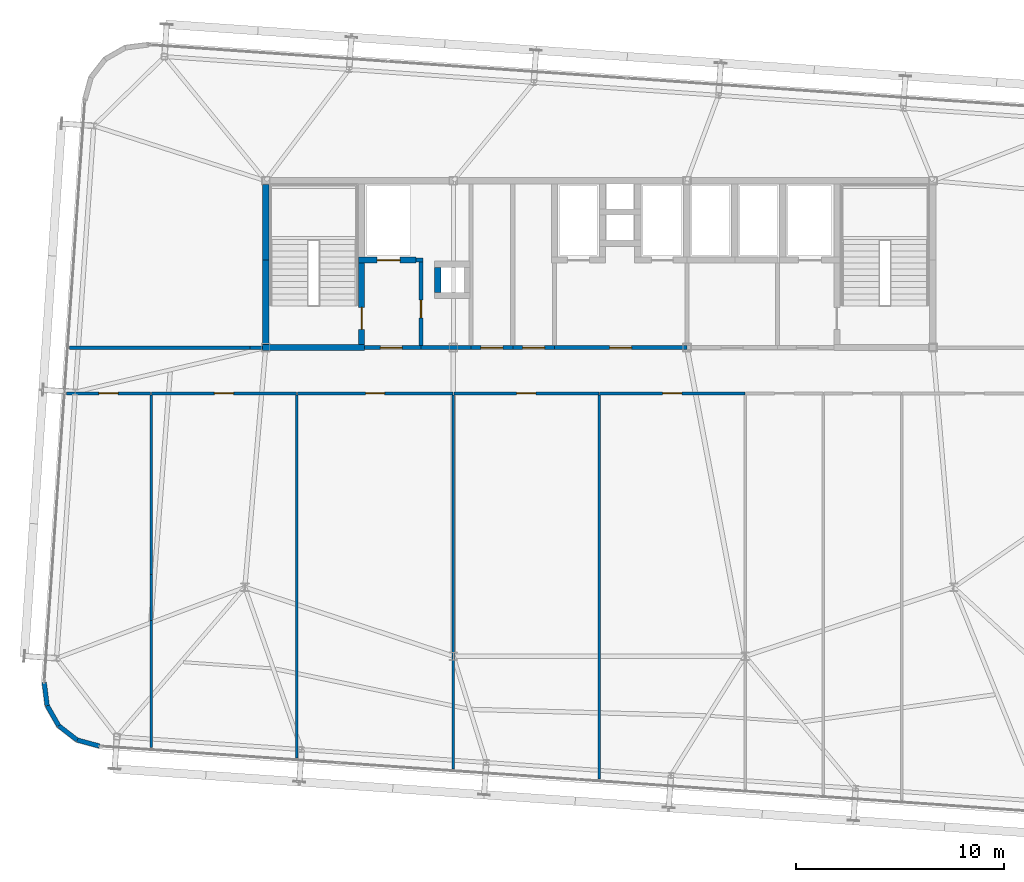
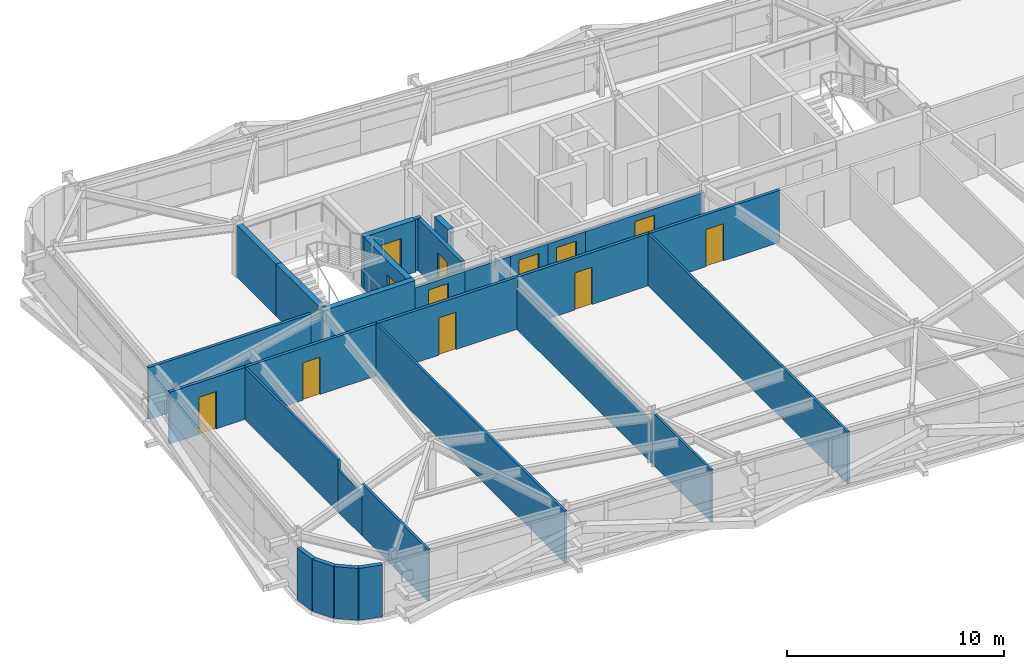
# One storey, part 35 of 39: 31 walls, 12 doors, 12 openings.
"""IFC4 building model written with IfcOpenShell, lengths in metres."""

from ifc_helpers import new_model, si_unit, direction, frame, frame_2d, origin, place, context, subcontext, project, spatial, rectangle, extrude, source, transform, mapped, material, layer, layer_set, type_object, element, fill, save


model = new_model("IFC4")

# Units and contexts
model_context = context("Model", 3, precision=1e-05, world=origin(), true_north=direction((0.0, 1.0)))
body_context = subcontext(model_context, "Body", "Model", "MODEL_VIEW")
ifc_project = project(units=[si_unit("LENGTHUNIT", "METRE"), si_unit("AREAUNIT", "SQUARE_METRE"), si_unit("VOLUMEUNIT", "CUBIC_METRE"), si_unit("PLANEANGLEUNIT", "RADIAN"), si_unit("MASSUNIT", "GRAM", prefix="KILO")], contexts=[model_context])

# Site, building, storey
site_placement = place(None, origin())
site = spatial("IfcSite", under=ifc_project, at=site_placement, CompositionType="ELEMENT")
building_placement = place(site_placement, origin())
building = spatial("IfcBuilding", under=site, at=building_placement, Name="Taldren Reach Tower", CompositionType="ELEMENT")
storey_placement = place(building_placement, frame((0.0, 0.0, 151.89990234375)))
storey = spatial("IfcBuildingStorey", under=building, at=storey_placement, Name="L46", CompositionType="ELEMENT", Elevation=151.89990234375)

# Walls
ifc_material_1 = material(Name="Pale Champagne Anodised Aluminium Cladding", Category="aluminium")
ifc_layer_1 = layer(ifc_material_1, 0.04, Name="Pale Champagne Anodised Aluminium Cladding", Category="aluminium")
ifc_material_2 = material(Name="Mineral Wool Acoustic Insulation", Category="insulation")
ifc_layer_2 = layer(ifc_material_2, 0.06, Name="Mineral Wool Acoustic Insulation", Category="insulation")
ifc_material_3 = material(Name="Steel Gr 350 (C350L0)", Category="steel")
ifc_layer_3 = layer(ifc_material_3, 0.12, Name="Steel Gr 350 (C350L0)", Category="steel")
ifc_layer_set_1 = layer_set([ifc_layer_1, ifc_layer_2, ifc_layer_3], Name="Pale Champagne Aluminium Cladding and Steel Gr 350 Stud Framing")
wall_type_1 = type_object("IfcWallType", Name="EW-CRN-220", PredefinedType="SOLIDWALL", material=ifc_layer_set_1)
shared_shape_1 = source(origin(), body_context, "Body", "SweptSolid", [
    extrude(rectangle(XDim=1.115966796875, YDim=0.219970703125, at=frame_2d((0.55810546875, 0.0))), origin(), (0.0, 0.0, 1.0), 2.93017578125),
])
for number, where, z_axis, x_axis, name in (
    (1, (8.37646484375, 7.93798828125, 0.0), (0.0, 0.0, 1.0), (0.126242535829, -0.991999406324, 0.0), "Rounded-corner pale-metal facade wall L46-SW1"),
    (2, (8.517333984375, 6.8310546875, 0.0), (0.0, 0.0, 1.0), (0.496138938357, -0.868243142124, 0.0), "Rounded-corner pale-metal facade wall L46-SW2"),
    (3, (9.071044921875, 5.862060546875, 0.0), (0.0, 0.0, 1.0), (0.790716874741, -0.612182018684, 0.0), "Rounded-corner pale-metal facade wall L46-SW3"),
    (4, (9.953369140625, 5.178955078125, 0.0), (0.0, 0.0, 1.0), (0.964804199372, -0.262969307856, 0.0), "Rounded-corner pale-metal facade wall L46-SW4"),
):
    element("IfcWall", number, at=place(storey_placement, frame(where, z_axis=z_axis, x_axis=x_axis)), inside=storey, type_object=wall_type_1, Name=name, PredefinedType="SOLIDWALL", context=body_context, shape_type="MappedRepresentation", body=[
        mapped(shared_shape_1, transform((0.0, 0.0, 0.0), scale=1.0)),
    ])

# Wall, opening, door
ifc_material_4 = material(Name="Concrete S50 (50 MPa)", Category="concrete")
ifc_layer_4 = layer(ifc_material_4, 0.199951171875)
ifc_layer_set_2 = layer_set([ifc_layer_4], Name="Concrete S50 (50 MPa)")
wall_type_2 = type_object("IfcWallType", Name="IW-CORE-200", PredefinedType="SOLIDWALL", material=ifc_layer_set_2)
shared_shape_2 = source(origin(), body_context, "Body", "SweptSolid", [
    extrude(rectangle(XDim=2.0, YDim=0.199951171875, at=frame_2d((1.0, 0.0))), origin(), (0.0, 0.0, 1.0), 2.47021484375),
])
wall_1_placement = place(storey_placement, frame((30.85009765625, 24.0, 0.0), z_axis=(0.0, 0.0, 1.0), x_axis=(-1.0, 0.0, 0.0)))
wall_1 = element("IfcWall", 5, at=wall_1_placement, inside=storey, type_object=wall_type_2, Name="Rear Core Shear Wall W-INT-L46-039", PredefinedType="SOLIDWALL", context=body_context, shape_type="MappedRepresentation", body=[
    mapped(shared_shape_2, transform((0.0, 0.0, 0.0), scale=1.0)),
])
shared_shape_3 = source(origin(), body_context, "Body", "SweptSolid", [
    extrude(rectangle(XDim=1.050048828125, YDim=2.10009765625, at=frame_2d((0.52490234375, 1.050048828125))), frame((0.0, 0.10986328125, 0.0), z_axis=(0.0, -1.0, 0.0), x_axis=(1.0, 0.0, 0.0)), (0.0, 0.0, 1.0), 0.219970703125),
])
opening_1_placement = place(wall_1_placement, frame((0.47509765625, 0.0, 0.0)))
opening_1 = element("IfcOpeningElement", 6, at=opening_1_placement, cuts=wall_1, Name="Opening DF-105", PredefinedType="OPENING", context=body_context, shape_type="MappedRepresentation", body=[
    mapped(shared_shape_3, transform((0.0, 0.0, 0.0), scale=1.0)),
])
ifc_material_5 = material(Name="Fire-Rated Care and Stair Exit Door")
door_type_1 = type_object("IfcDoorType", Name="ID-FIRE-105", OperationType="NOTDEFINED", PredefinedType="DOOR", material=ifc_material_5)
shared_shape_4 = source(origin(), body_context, "Body", "SweptSolid", [
    extrude(rectangle(XDim=1.050048828125, YDim=2.10009765625, at=frame_2d((0.52490234375, 1.050048828125))), frame((0.0, 0.02490234375, 0.0), z_axis=(0.0, -1.0, 0.0), x_axis=(1.0, 0.0, 0.0)), (0.0, 0.0, 1.0), 0.050048828125),
])
door_1_placement = place(opening_1_placement, frame((1.050048828125, 0.0, 0.0), z_axis=(0.0, 0.0, 1.0), x_axis=(-1.0, 0.0, 0.0)))
door_1 = element("IfcDoor", 7, at=door_1_placement, inside=storey, type_object=door_type_1, Name="Interior Door DR-L46-006", OperationType="SINGLE_SWING_RIGHT", OverallHeight=2.10009765625, OverallWidth=1.050048828125, PredefinedType="DOOR", context=body_context, shape_type="MappedRepresentation", body=[
    mapped(shared_shape_4, transform((0.0, 0.0, 0.0), scale=1.0)),
])
fill(opening_1, door_1)

wall_2_placement = place(storey_placement, frame((32.85009765625, 24.0, 0.0), z_axis=(0.0, 0.0, 1.0), x_axis=(-1.0, 0.0, 0.0)))
wall_2 = element("IfcWall", 8, at=wall_2_placement, inside=storey, type_object=wall_type_2, Name="Rear Core Shear Wall W-INT-L46-040", PredefinedType="SOLIDWALL", context=body_context, shape_type="MappedRepresentation", body=[
    mapped(shared_shape_2, transform((0.0, 0.0, 0.0), scale=1.0)),
])
opening_2_placement = place(wall_2_placement, frame((0.47509765625, 0.0, 0.0)))
opening_2 = element("IfcOpeningElement", 9, at=opening_2_placement, cuts=wall_2, Name="Opening DF-105", PredefinedType="OPENING", context=body_context, shape_type="MappedRepresentation", body=[
    mapped(shared_shape_3, transform((0.0, 0.0, 0.0), scale=1.0)),
])
door_2_placement = place(opening_2_placement, frame((1.050048828125, 0.0, 0.0), z_axis=(0.0, 0.0, 1.0), x_axis=(-1.0, 0.0, 0.0)))
door_2 = element("IfcDoor", 10, at=door_2_placement, inside=storey, type_object=door_type_1, Name="Interior Door DR-L46-007", OperationType="SINGLE_SWING_LEFT", OverallHeight=2.10009765625, OverallWidth=1.050048828125, PredefinedType="DOOR", context=body_context, shape_type="MappedRepresentation", body=[
    mapped(shared_shape_4, transform((0.0, 0.0, 0.0), scale=1.0)),
])
fill(opening_2, door_2)

# Walls
ifc_material_6 = material(Name="Concrete S65 (65 MPa)", Category="concrete")
ifc_layer_5 = layer(ifc_material_6, 0.300048828125)
ifc_layer_set_3 = layer_set([ifc_layer_5], Name="Concrete S65 (65 MPa)")
wall_type_3 = type_object("IfcWallType", Name="IW-CORE-300", PredefinedType="SHEAR", material=ifc_layer_set_3)
shared_shape_5 = source(origin(), body_context, "Body", "SweptSolid", [
    extrude(rectangle(XDim=4.050048828125, YDim=0.300048828125, at=frame_2d((2.02490234375, 0.0))), origin(), (0.0, 0.0, 1.0), 2.93017578125),
])
wall_3_placement = place(storey_placement, frame((19.0, 24.14990234375, 0.0), z_axis=(0.0, 0.0, 1.0), x_axis=(0.0, 1.0, 0.0)))
element("IfcWall", 11, at=wall_3_placement, inside=storey, type_object=wall_type_3, Name="Rear Core Shear Wall W-CORE-L46-WEST1", PredefinedType="SHEAR", context=body_context, shape_type="MappedRepresentation", body=[
    mapped(shared_shape_5, transform((0.0, 0.0, 0.0), scale=1.0)),
])
shared_shape_6 = source(origin(), body_context, "Body", "SweptSolid", [
    extrude(rectangle(XDim=3.650146484375, YDim=0.300048828125, at=frame_2d((1.8251953125, 0.0))), origin(), (0.0, 0.0, 1.0), 2.93017578125),
])
wall_4_placement = place(storey_placement, frame((19.0, 28.199951171875, 0.0), z_axis=(0.0, 0.0, 1.0), x_axis=(0.0, 1.0, 0.0)))
element("IfcWall", 12, at=wall_4_placement, inside=storey, type_object=wall_type_3, Name="Rear Core Shear Wall W-CORE-L46-WEST2", PredefinedType="SHEAR", context=body_context, shape_type="MappedRepresentation", body=[
    mapped(shared_shape_6, transform((0.0, 0.0, 0.0), scale=1.0)),
])

# Wall, opening, door
shared_shape_7 = source(origin(), body_context, "Body", "SweptSolid", [
    extrude(rectangle(XDim=3.900146484375, YDim=0.300048828125, at=frame_2d((1.9501953125, 0.0))), origin(), (0.0, 0.0, 1.0), 2.93017578125),
])
wall_5_placement = place(storey_placement, frame((23.60009765625, 24.14990234375, 0.0), z_axis=(0.0, 0.0, 1.0), x_axis=(0.0, 1.0, 0.0)))
wall_5 = element("IfcWall", 13, at=wall_5_placement, inside=storey, type_object=wall_type_3, Name="Rear Core Shear Wall W-INT-L46-002", PredefinedType="SHEAR", context=body_context, shape_type="MappedRepresentation", body=[
    mapped(shared_shape_7, transform((0.0, 0.0, 0.0), scale=1.0)),
])
shared_shape_8 = source(origin(), body_context, "Body", "SweptSolid", [
    extrude(rectangle(XDim=1.050048828125, YDim=2.10009765625, at=frame_2d((0.52490234375, 1.050048828125))), frame((0.0, 0.16015625, 0.0), z_axis=(0.0, -1.0, 0.0), x_axis=(1.0, 0.0, 0.0)), (0.0, 0.0, 1.0), 0.320068359375),
])
opening_3_placement = place(wall_5_placement, frame((0.72509765625, 0.0, 0.0)))
opening_3 = element("IfcOpeningElement", 14, at=opening_3_placement, cuts=wall_5, Name="Opening DF-105", PredefinedType="OPENING", context=body_context, shape_type="MappedRepresentation", body=[
    mapped(shared_shape_8, transform((0.0, 0.0, 0.0), scale=1.0)),
])
door_3_placement = place(opening_3_placement, origin())
door_3 = element("IfcDoor", 15, at=door_3_placement, inside=storey, type_object=door_type_1, Name="Fire Exit Stair Door DR-L46-001", OperationType="SINGLE_SWING_LEFT", OverallHeight=2.10009765625, OverallWidth=1.050048828125, PredefinedType="DOOR", context=body_context, shape_type="MappedRepresentation", body=[
    mapped(shared_shape_4, transform((0.0, 0.0, 0.0), scale=1.0)),
])
fill(opening_3, door_3)

# Wall
shared_shape_9 = source(origin(), body_context, "Body", "SweptSolid", [
    extrude(rectangle(XDim=4.89990234375, YDim=0.300048828125, at=frame_2d((2.449951171875, 0.0))), origin(), (0.0, 0.0, 1.0), 2.93017578125),
])
wall_6_placement = place(storey_placement, frame((18.85009765625, 24.0, 0.0), z_axis=(0.0, 0.0, 1.0), x_axis=(1.0, 0.0, 0.0)))
element("IfcWall", 16, at=wall_6_placement, inside=storey, type_object=wall_type_3, Name="Rear Core Shear Wall W-INT-L46-003", PredefinedType="SHEAR", context=body_context, shape_type="MappedRepresentation", body=[
    mapped(shared_shape_9, transform((0.0, 0.0, 0.0), scale=1.0)),
])

# Wall, opening, door
shared_shape_10 = source(origin(), body_context, "Body", "SweptSolid", [
    extrude(rectangle(XDim=2.699951171875, YDim=0.199951171875, at=frame_2d((1.35009765625, 0.0))), origin(), (0.0, 0.0, 1.0), 2.47021484375),
])
wall_7_placement = place(storey_placement, frame((23.75, 24.0, 0.0), z_axis=(0.0, 0.0, 1.0), x_axis=(1.0, 0.0, 0.0)))
wall_7 = element("IfcWall", 17, at=wall_7_placement, inside=storey, type_object=wall_type_2, Name="Rear Core Shear Wall W-INT-L46-006", PredefinedType="SOLIDWALL", context=body_context, shape_type="MappedRepresentation", body=[
    mapped(shared_shape_10, transform((0.0, 0.0, 0.0), scale=1.0)),
])
opening_4_placement = place(wall_7_placement, frame((0.75, 0.0, 0.0)))
opening_4 = element("IfcOpeningElement", 18, at=opening_4_placement, cuts=wall_7, Name="Opening DF-105", PredefinedType="OPENING", context=body_context, shape_type="MappedRepresentation", body=[
    mapped(shared_shape_3, transform((0.0, 0.0, 0.0), scale=1.0)),
])
door_4_placement = place(opening_4_placement, origin())
door_4 = element("IfcDoor", 19, at=door_4_placement, inside=storey, type_object=door_type_1, Name="Interior Door DR-L46-002", OperationType="SINGLE_SWING_LEFT", OverallHeight=2.10009765625, OverallWidth=1.050048828125, PredefinedType="DOOR", context=body_context, shape_type="MappedRepresentation", body=[
    mapped(shared_shape_4, transform((0.0, 0.0, 0.0), scale=1.0)),
])
fill(opening_4, door_4)

# Wall
shared_shape_11 = source(origin(), body_context, "Body", "SweptSolid", [
    extrude(rectangle(XDim=1.2001953125, YDim=0.300048828125, at=frame_2d((0.60009765625, 0.0))), origin(), (0.0, 0.0, 1.0), 2.93017578125),
])
wall_8_placement = place(storey_placement, frame((27.25, 27.85009765625, 0.0), z_axis=(0.0, 0.0, 1.0), x_axis=(0.0, -1.0, 0.0)))
element("IfcWall", 20, at=wall_8_placement, inside=storey, type_object=wall_type_3, Name="Rear Core Shear Wall W-INT-L46-021", PredefinedType="SHEAR", context=body_context, shape_type="MappedRepresentation", body=[
    mapped(shared_shape_11, transform((0.0, 0.0, 0.0), scale=1.0)),
])

# Wall, opening, door
shared_shape_12 = source(origin(), body_context, "Body", "SweptSolid", [
    extrude(rectangle(XDim=4.0, YDim=0.199951171875, at=frame_2d((2.0, 0.0))), origin(), (0.0, 0.0, 1.0), 2.93017578125),
])
wall_9_placement = place(storey_placement, frame((26.449951171875, 24.10009765625, 0.0), z_axis=(0.0, 0.0, 1.0), x_axis=(0.0, 1.0, 0.0)))
wall_9 = element("IfcWall", 21, at=wall_9_placement, inside=storey, type_object=wall_type_2, Name="Rear Core Shear Wall W-INT-L46-005", PredefinedType="SOLIDWALL", context=body_context, shape_type="MappedRepresentation", body=[
    mapped(shared_shape_12, transform((0.0, 0.0, 0.0), scale=1.0)),
])
shared_shape_13 = source(origin(), body_context, "Body", "SweptSolid", [
    extrude(rectangle(XDim=0.860107421875, YDim=2.10009765625, at=frame_2d((0.43017578125, 1.050048828125))), frame((0.0, 0.10986328125, 0.0), z_axis=(0.0, -1.0, 0.0), x_axis=(1.0, 0.0, 0.0)), (0.0, 0.0, 1.0), 0.219970703125),
])
opening_5_placement = place(wall_9_placement, frame((1.320068359375, 0.0, 0.0)))
opening_5 = element("IfcOpeningElement", 22, at=opening_5_placement, cuts=wall_9, Name="Opening DI-086", PredefinedType="OPENING", context=body_context, shape_type="MappedRepresentation", body=[
    mapped(shared_shape_13, transform((0.0, 0.0, 0.0), scale=1.0)),
])
ifc_material_7 = material(Name="Timber Bathroom Door", Category="wood")
door_type_2 = type_object("IfcDoorType", Name="ID-INT-086", OperationType="NOTDEFINED", PredefinedType="DOOR", material=ifc_material_7)
shared_shape_14 = source(origin(), body_context, "Body", "SweptSolid", [
    extrude(rectangle(XDim=0.860107421875, YDim=2.10009765625, at=frame_2d((0.43017578125, 1.050048828125))), frame((0.0, 0.02490234375, 0.0), z_axis=(0.0, -1.0, 0.0), x_axis=(1.0, 0.0, 0.0)), (0.0, 0.0, 1.0), 0.050048828125),
])
door_5_placement = place(opening_5_placement, frame((0.860107421875, 0.0, 0.0), z_axis=(0.0, 0.0, 1.0), x_axis=(-1.0, 0.0, 0.0)))
door_5 = element("IfcDoor", 23, at=door_5_placement, inside=storey, type_object=door_type_2, Name="Interior Door DR-L46-019", OperationType="SINGLE_SWING_RIGHT", OverallHeight=2.10009765625, OverallWidth=0.860107421875, PredefinedType="DOOR", context=body_context, shape_type="MappedRepresentation", body=[
    mapped(shared_shape_14, transform((0.0, 0.0, 0.0), scale=1.0)),
])
fill(opening_5, door_5)

shared_shape_15 = source(origin(), body_context, "Body", "SweptSolid", [
    extrude(rectangle(XDim=6.349853515625, YDim=0.199951171875, at=frame_2d((3.1748046875, 0.0))), origin(), (0.0, 0.0, 1.0), 2.47021484375),
])
wall_10_placement = place(storey_placement, frame((39.199951171875, 24.0, 0.0), z_axis=(0.0, 0.0, 1.0), x_axis=(-1.0, 0.0, 0.0)))
wall_10 = element("IfcWall", 24, at=wall_10_placement, inside=storey, type_object=wall_type_2, Name="Rear Core Shear Wall W-INT-L46-032", PredefinedType="SOLIDWALL", context=body_context, shape_type="MappedRepresentation", body=[
    mapped(shared_shape_15, transform((0.0, 0.0, 0.0), scale=1.0)),
])
opening_6_placement = place(wall_10_placement, frame((2.64990234375, 0.0, 0.0)))
opening_6 = element("IfcOpeningElement", 25, at=opening_6_placement, cuts=wall_10, Name="Opening DF-105", PredefinedType="OPENING", context=body_context, shape_type="MappedRepresentation", body=[
    mapped(shared_shape_3, transform((0.0, 0.0, 0.0), scale=1.0)),
])
door_6_placement = place(opening_6_placement, frame((1.050048828125, 0.0, 0.0), z_axis=(0.0, 0.0, 1.0), x_axis=(-1.0, 0.0, 0.0)))
door_6 = element("IfcDoor", 26, at=door_6_placement, inside=storey, type_object=door_type_1, Name="Interior Door DR-L46-005", OperationType="SINGLE_SWING_LEFT", OverallHeight=2.10009765625, OverallWidth=1.050048828125, PredefinedType="DOOR", context=body_context, shape_type="MappedRepresentation", body=[
    mapped(shared_shape_4, transform((0.0, 0.0, 0.0), scale=1.0)),
])
fill(opening_6, door_6)

# Walls
ifc_material_8 = material(Name="Fire-Rated Acoustic Plasterboard Stud Wall", Category="gypsum")
ifc_layer_6 = layer(ifc_material_8, 0.159912109375)
ifc_layer_set_4 = layer_set([ifc_layer_6], Name="Fire-Rated Acoustic Plasterboard Stud Wall")
wall_type_4 = type_object("IfcWallType", Name="IW-FIRE-160", PredefinedType="PARTITIONING", material=ifc_layer_set_4)
shared_shape_16 = source(origin(), body_context, "Body", "SweptSolid", [
    extrude(rectangle(XDim=8.65234375, YDim=0.159912109375, at=frame_2d((4.326171875, 0.0))), origin(), (0.0, 0.0, 1.0), 2.93017578125),
])
wall_11_placement = place(storey_placement, frame((9.584228515625, 24.0, 0.0), z_axis=(0.0, 0.0, 1.0), x_axis=(1.0, 0.0, 0.0)))
element("IfcWall", 27, at=wall_11_placement, inside=storey, type_object=wall_type_4, Name="Interior Partition Wall W-INT-L46-052", PredefinedType="PARTITIONING", context=body_context, shape_type="MappedRepresentation", body=[
    mapped(shared_shape_16, transform((0.0, 0.0, 0.0), scale=1.0)),
])
shared_shape_17 = source(origin(), body_context, "Body", "SweptSolid", [
    extrude(rectangle(XDim=0.613525390625, YDim=0.159912109375, at=frame_2d((0.306640625, 0.0))), origin(), (0.0, 0.0, 1.0), 2.47021484375),
])
wall_12_placement = place(storey_placement, frame((18.236572265625, 24.0, 0.0), z_axis=(0.0, 0.0, 1.0), x_axis=(1.0, 0.0, 0.0)))
element("IfcWall", 28, at=wall_12_placement, inside=storey, type_object=wall_type_4, Name="Interior Partition Wall W-INT-L46-052 part 2", PredefinedType="PARTITIONING", context=body_context, shape_type="MappedRepresentation", body=[
    mapped(shared_shape_17, transform((0.0, 0.0, 0.0), scale=1.0)),
])

# Wall, opening, door
shared_shape_18 = source(origin(), body_context, "Body", "SweptSolid", [
    extrude(rectangle(XDim=2.75, YDim=0.300048828125, at=frame_2d((1.375, 0.0))), origin(), (0.0, 0.0, 1.0), 2.93017578125),
])
wall_13_placement = place(storey_placement, frame((23.449951171875, 28.199951171875, 0.0), z_axis=(0.0, 0.0, 1.0), x_axis=(1.0, 0.0, 0.0)))
wall_13 = element("IfcWall", 29, at=wall_13_placement, inside=storey, type_object=wall_type_3, Name="Rear Core Shear Wall W-INT-L46-004", PredefinedType="SHEAR", context=body_context, shape_type="MappedRepresentation", body=[
    mapped(shared_shape_18, transform((0.0, 0.0, 0.0), scale=1.0)),
])
shared_shape_19 = source(origin(), body_context, "Body", "SweptSolid", [
    extrude(rectangle(XDim=1.10009765625, YDim=2.14990234375, at=frame_2d((0.550048828125, 1.074951171875))), frame((0.0, 0.16015625, 0.0), z_axis=(0.0, -1.0, 0.0), x_axis=(1.0, 0.0, 0.0)), (0.0, 0.0, 1.0), 0.320068359375),
])
opening_7_placement = place(wall_13_placement, frame((0.89990234375, 0.0, 0.0)))
opening_7 = element("IfcOpeningElement", 30, at=opening_7_placement, cuts=wall_13, Name="Opening LD-FL1", PredefinedType="OPENING", context=body_context, shape_type="MappedRepresentation", body=[
    mapped(shared_shape_19, transform((0.0, 0.0, 0.0), scale=1.0)),
])
ifc_material_9 = material(Name="Stainless Steel Gr 316 Emergency Lift Landing Door", Category="steel")
door_type_3 = type_object("IfcDoorType", Name="LD-EMG-110", OperationType="SLIDING_TO_LEFT", PredefinedType="DOOR", material=ifc_material_9)
shared_shape_20 = source(origin(), body_context, "Body", "SweptSolid", [
    extrude(rectangle(XDim=1.10009765625, YDim=2.14990234375, at=frame_2d((0.550048828125, 1.074951171875))), frame((0.0, 0.02490234375, 0.0), z_axis=(0.0, -1.0, 0.0), x_axis=(1.0, 0.0, 0.0)), (0.0, 0.0, 1.0), 0.050048828125),
])
door_7_placement = place(opening_7_placement, origin())
door_7 = element("IfcDoor", 31, at=door_7_placement, inside=storey, type_object=door_type_3, Name="Lift Landing Door LD-FL1-L46", OperationType="SLIDING_TO_LEFT", OverallHeight=2.14990234375, OverallWidth=1.10009765625, PredefinedType="DOOR", context=body_context, shape_type="MappedRepresentation", body=[
    mapped(shared_shape_20, transform((0.0, 0.0, 0.0), scale=1.0)),
])
fill(opening_7, door_7)

# Wall
shared_shape_21 = source(origin(), body_context, "Body", "SweptSolid", [
    extrude(rectangle(XDim=2.400146484375, YDim=0.199951171875, at=frame_2d((1.2001953125, 0.0))), origin(), (0.0, 0.0, 1.0), 2.47021484375),
])
wall_14_placement = place(storey_placement, frame((28.85009765625, 24.0, 0.0), z_axis=(0.0, 0.0, 1.0), x_axis=(-1.0, 0.0, 0.0)))
element("IfcWall", 32, at=wall_14_placement, inside=storey, type_object=wall_type_2, Name="Rear Core Shear Wall W-INT-L46-037", PredefinedType="SOLIDWALL", context=body_context, shape_type="MappedRepresentation", body=[
    mapped(shared_shape_21, transform((0.0, 0.0, 0.0), scale=1.0)),
])

# Wall, opening, door
shared_shape_22 = source(origin(), body_context, "Body", "SweptSolid", [
    extrude(rectangle(XDim=7.45947265625, YDim=0.159912109375, at=frame_2d((3.729736328125, 0.0))), origin(), (0.0, 0.0, 1.0), 2.93017578125),
])
wall_15_placement = place(storey_placement, frame((27.979736328125, 21.800048828125, 0.0), z_axis=(0.0, 0.0, 1.0), x_axis=(-1.0, 0.0, 0.0)))
wall_15 = element("IfcWall", 33, at=wall_15_placement, inside=storey, type_object=wall_type_4, Name="Interior Partition Wall W-INT-L46-044", PredefinedType="PARTITIONING", context=body_context, shape_type="MappedRepresentation", body=[
    mapped(shared_shape_22, transform((0.0, 0.0, 0.0), scale=1.0)),
])
shared_shape_23 = source(origin(), body_context, "Body", "SweptSolid", [
    extrude(rectangle(XDim=0.919921875, YDim=2.10009765625, at=frame_2d((0.4599609375, 1.050048828125))), frame((0.0, 0.08984375, 0.0), z_axis=(0.0, -1.0, 0.0), x_axis=(1.0, 0.0, 0.0)), (0.0, 0.0, 1.0), 0.179931640625),
])
opening_8_placement = place(wall_15_placement, frame((3.269775390625, 0.0, 0.0)))
opening_8 = element("IfcOpeningElement", 34, at=opening_8_placement, cuts=wall_15, Name="Opening DI-092", PredefinedType="OPENING", context=body_context, shape_type="MappedRepresentation", body=[
    mapped(shared_shape_23, transform((0.0, 0.0, 0.0), scale=1.0)),
])
ifc_material_10 = material(Name="Solid-Core Timber Suite Door", Category="wood")
door_type_4 = type_object("IfcDoorType", Name="ID-INT-092", OperationType="NOTDEFINED", PredefinedType="DOOR", material=ifc_material_10)
shared_shape_24 = source(origin(), body_context, "Body", "SweptSolid", [
    extrude(rectangle(XDim=0.919921875, YDim=2.10009765625, at=frame_2d((0.4599609375, 1.050048828125))), frame((0.0, 0.02490234375, 0.0), z_axis=(0.0, -1.0, 0.0), x_axis=(1.0, 0.0, 0.0)), (0.0, 0.0, 1.0), 0.050048828125),
])
door_8_placement = place(opening_8_placement, origin())
door_8 = element("IfcDoor", 35, at=door_8_placement, inside=storey, type_object=door_type_4, Name="Interior Door DR-L46-011", OperationType="SINGLE_SWING_RIGHT", OverallHeight=2.10009765625, OverallWidth=0.919921875, PredefinedType="DOOR", context=body_context, shape_type="MappedRepresentation", body=[
    mapped(shared_shape_24, transform((0.0, 0.0, 0.0), scale=1.0)),
])
fill(opening_8, door_8)

# Wall
shared_shape_25 = source(origin(), body_context, "Body", "SweptSolid", [
    extrude(rectangle(XDim=0.35009765625, YDim=0.199951171875, at=frame_2d((0.175048828125, 0.0))), origin(), (0.0, 0.0, 1.0), 2.93017578125),
])
wall_16_placement = place(storey_placement, frame((26.199951171875, 28.199951171875, 0.0), z_axis=(0.0, 0.0, 1.0), x_axis=(1.0, 0.0, 0.0)))
element("IfcWall", 36, at=wall_16_placement, inside=storey, type_object=wall_type_2, Name="Rear Core Partition Wall W-INT-L46-061", PredefinedType="SOLIDWALL", context=body_context, shape_type="MappedRepresentation", body=[
    mapped(shared_shape_25, transform((0.0, 0.0, 0.0), scale=1.0)),
])

# Wall, opening, door
shared_shape_26 = source(origin(), body_context, "Body", "SweptSolid", [
    extrude(rectangle(XDim=4.038330078125, YDim=0.159912109375, at=frame_2d((2.01904296875, 0.0))), origin(), (0.0, 0.0, 1.0), 2.93017578125),
])
wall_17_placement = place(storey_placement, frame((13.479736328125, 21.800048828125, 0.0), z_axis=(0.0, 0.0, 1.0), x_axis=(-1.0, 0.0, 0.0)))
wall_17 = element("IfcWall", 37, at=wall_17_placement, inside=storey, type_object=wall_type_4, Name="Interior Partition Wall W-INT-L46-042", PredefinedType="PARTITIONING", context=body_context, shape_type="MappedRepresentation", body=[
    mapped(shared_shape_26, transform((0.0, 0.0, 0.0), scale=1.0)),
])
opening_9_placement = place(wall_17_placement, frame((1.55908203125, 0.0, 0.0)))
opening_9 = element("IfcOpeningElement", 38, at=opening_9_placement, cuts=wall_17, Name="Opening DI-092", PredefinedType="OPENING", context=body_context, shape_type="MappedRepresentation", body=[
    mapped(shared_shape_23, transform((0.0, 0.0, 0.0), scale=1.0)),
])
door_9_placement = place(opening_9_placement, origin())
door_9 = element("IfcDoor", 39, at=door_9_placement, inside=storey, type_object=door_type_4, Name="Interior Door DR-L46-009", OperationType="SINGLE_SWING_RIGHT", OverallHeight=2.10009765625, OverallWidth=0.919921875, PredefinedType="DOOR", context=body_context, shape_type="MappedRepresentation", body=[
    mapped(shared_shape_24, transform((0.0, 0.0, 0.0), scale=1.0)),
])
fill(opening_9, door_9)

shared_shape_27 = source(origin(), body_context, "Body", "SweptSolid", [
    extrude(rectangle(XDim=6.95947265625, YDim=0.159912109375, at=frame_2d((3.479736328125, 0.0))), origin(), (0.0, 0.0, 1.0), 2.93017578125),
])
wall_18_placement = place(storey_placement, frame((20.479736328125, 21.800048828125, 0.0), z_axis=(0.0, 0.0, 1.0), x_axis=(-1.0, 0.0, 0.0)))
wall_18 = element("IfcWall", 40, at=wall_18_placement, inside=storey, type_object=wall_type_4, Name="Interior Partition Wall W-INT-L46-043", PredefinedType="PARTITIONING", context=body_context, shape_type="MappedRepresentation", body=[
    mapped(shared_shape_27, transform((0.0, 0.0, 0.0), scale=1.0)),
])
opening_10_placement = place(wall_18_placement, frame((3.019775390625, 0.0, 0.0)))
opening_10 = element("IfcOpeningElement", 41, at=opening_10_placement, cuts=wall_18, Name="Opening DI-092", PredefinedType="OPENING", context=body_context, shape_type="MappedRepresentation", body=[
    mapped(shared_shape_23, transform((0.0, 0.0, 0.0), scale=1.0)),
])
door_10_placement = place(opening_10_placement, origin())
door_10 = element("IfcDoor", 42, at=door_10_placement, inside=storey, type_object=door_type_4, Name="Interior Door DR-L46-010", OperationType="SINGLE_SWING_LEFT", OverallHeight=2.10009765625, OverallWidth=0.919921875, PredefinedType="DOOR", context=body_context, shape_type="MappedRepresentation", body=[
    mapped(shared_shape_24, transform((0.0, 0.0, 0.0), scale=1.0)),
])
fill(opening_10, door_10)

shared_shape_28 = source(origin(), body_context, "Body", "SweptSolid", [
    extrude(rectangle(XDim=6.959228515625, YDim=0.159912109375, at=frame_2d((3.4794921875, 0.0))), origin(), (0.0, 0.0, 1.0), 2.93017578125),
])
wall_19_placement = place(storey_placement, frame((34.979736328125, 21.800048828125, 0.0), z_axis=(0.0, 0.0, 1.0), x_axis=(-1.0, 0.0, 0.0)))
wall_19 = element("IfcWall", 43, at=wall_19_placement, inside=storey, type_object=wall_type_4, Name="Interior Partition Wall W-INT-L46-045", PredefinedType="PARTITIONING", context=body_context, shape_type="MappedRepresentation", body=[
    mapped(shared_shape_28, transform((0.0, 0.0, 0.0), scale=1.0)),
])
opening_11_placement = place(wall_19_placement, frame((3.01953125, 0.0, 0.0)))
opening_11 = element("IfcOpeningElement", 44, at=opening_11_placement, cuts=wall_19, Name="Opening DI-092", PredefinedType="OPENING", context=body_context, shape_type="MappedRepresentation", body=[
    mapped(shared_shape_23, transform((0.0, 0.0, 0.0), scale=1.0)),
])
door_11_placement = place(opening_11_placement, origin())
door_11 = element("IfcDoor", 45, at=door_11_placement, inside=storey, type_object=door_type_4, Name="Interior Door DR-L46-012", OperationType="SINGLE_SWING_LEFT", OverallHeight=2.10009765625, OverallWidth=0.919921875, PredefinedType="DOOR", context=body_context, shape_type="MappedRepresentation", body=[
    mapped(shared_shape_24, transform((0.0, 0.0, 0.0), scale=1.0)),
])
fill(opening_11, door_11)

wall_20_placement = place(storey_placement, frame((41.9794921875, 21.800048828125, 0.0), z_axis=(0.0, 0.0, 1.0), x_axis=(-1.0, 0.0, 0.0)))
wall_20 = element("IfcWall", 46, at=wall_20_placement, inside=storey, type_object=wall_type_4, Name="Interior Partition Wall W-INT-L46-046", PredefinedType="PARTITIONING", context=body_context, shape_type="MappedRepresentation", body=[
    mapped(shared_shape_28, transform((0.0, 0.0, 0.0), scale=1.0)),
])
opening_12_placement = place(wall_20_placement, frame((3.01953125, 0.0, 0.0)))
opening_12 = element("IfcOpeningElement", 47, at=opening_12_placement, cuts=wall_20, Name="Opening DI-092", PredefinedType="OPENING", context=body_context, shape_type="MappedRepresentation", body=[
    mapped(shared_shape_23, transform((0.0, 0.0, 0.0), scale=1.0)),
])
door_12_placement = place(opening_12_placement, origin())
door_12 = element("IfcDoor", 48, at=door_12_placement, inside=storey, type_object=door_type_4, Name="Interior Door DR-L46-013", OperationType="SINGLE_SWING_RIGHT", OverallHeight=2.10009765625, OverallWidth=0.919921875, PredefinedType="DOOR", context=body_context, shape_type="MappedRepresentation", body=[
    mapped(shared_shape_24, transform((0.0, 0.0, 0.0), scale=1.0)),
])
fill(opening_12, door_12)

# Walls
ifc_material_11 = material(Name="Insulated Residential Stud Partition", Category="gypsum")
ifc_layer_7 = layer(ifc_material_11, 0.1201171875)
ifc_layer_set_5 = layer_set([ifc_layer_7], Name="Insulated Residential Stud Partition")
wall_type_5 = type_object("IfcWallType", Name="IW-PART-120", PredefinedType="PARTITIONING", material=ifc_layer_set_5)
shared_shape_29 = source(origin(), body_context, "Body", "SweptSolid", [
    extrude(rectangle(XDim=8.607421875, YDim=0.1201171875, at=frame_2d((4.3037109375, 0.0))), origin(), (0.0, 0.0, 1.0), 2.93017578125),
])
wall_21_placement = place(storey_placement, frame((13.5, 21.719970703125, 0.0), z_axis=(0.0, 0.0, 1.0), x_axis=(0.0, -1.0, 0.0)))
element("IfcWall", 49, at=wall_21_placement, inside=storey, type_object=wall_type_5, Name="Interior Partition Wall W-INT-L46-053", PredefinedType="PARTITIONING", context=body_context, shape_type="MappedRepresentation", body=[
    mapped(shared_shape_29, transform((0.0, 0.0, 0.0), scale=1.0)),
])
shared_shape_30 = source(origin(), body_context, "Body", "SweptSolid", [
    extrude(rectangle(XDim=2.212890625, YDim=0.1201171875, at=frame_2d((1.1064453125, 0.0))), origin(), (0.0, 0.0, 1.0), 2.397216796875),
])
wall_22_placement = place(storey_placement, frame((13.5, 13.112548828125, 0.0), z_axis=(0.0, 0.0, 1.0), x_axis=(0.0, -1.0, 0.0)))
element("IfcWall", 50, at=wall_22_placement, inside=storey, type_object=wall_type_5, Name="Interior Partition Wall W-INT-L46-053 part 2", PredefinedType="PARTITIONING", context=body_context, shape_type="MappedRepresentation", body=[
    mapped(shared_shape_30, transform((0.0, 0.0, 0.0), scale=1.0)),
])
shared_shape_31 = source(origin(), body_context, "Body", "SweptSolid", [
    extrude(rectangle(XDim=6.091064453125, YDim=0.1201171875, at=frame_2d((3.04541015625, 0.0))), origin(), (0.0, 0.0, 1.0), 2.93017578125),
])
wall_23_placement = place(storey_placement, frame((13.5, 10.899658203125, 0.0), z_axis=(0.0, 0.0, 1.0), x_axis=(0.0, -1.0, 0.0)))
element("IfcWall", 51, at=wall_23_placement, inside=storey, type_object=wall_type_5, Name="Interior Partition Wall W-INT-L46-053 part 3", PredefinedType="PARTITIONING", context=body_context, shape_type="MappedRepresentation", body=[
    mapped(shared_shape_31, transform((0.0, 0.0, 0.0), scale=1.0)),
])
shared_shape_32 = source(origin(), body_context, "Body", "SweptSolid", [
    extrude(rectangle(XDim=17.40087890625, YDim=0.1201171875, at=frame_2d((8.700439453125, 0.0))), origin(), (0.0, 0.0, 1.0), 2.93017578125),
])
wall_24_placement = place(storey_placement, frame((20.5, 21.719970703125, 0.0), z_axis=(0.0, 0.0, 1.0), x_axis=(0.0, -1.0, 0.0)))
element("IfcWall", 52, at=wall_24_placement, inside=storey, type_object=wall_type_5, Name="Interior Partition Wall W-INT-L46-054", PredefinedType="PARTITIONING", context=body_context, shape_type="MappedRepresentation", body=[
    mapped(shared_shape_32, transform((0.0, 0.0, 0.0), scale=1.0)),
])
shared_shape_33 = source(origin(), body_context, "Body", "SweptSolid", [
    extrude(rectangle(XDim=12.52001953125, YDim=0.1201171875, at=frame_2d((6.260009765625, 0.0))), origin(), (0.0, 0.0, 1.0), 2.328125),
])
wall_25_placement = place(storey_placement, frame((28.0, 21.719970703125, 0.0), z_axis=(0.0, 0.0, 1.0), x_axis=(0.0, -1.0, 0.0)))
element("IfcWall", 53, at=wall_25_placement, inside=storey, type_object=wall_type_5, Name="Interior Partition Wall W-INT-L46-055", PredefinedType="PARTITIONING", context=body_context, shape_type="MappedRepresentation", body=[
    mapped(shared_shape_33, transform((0.0, 0.0, 0.0), scale=1.0)),
])
shared_shape_34 = source(origin(), body_context, "Body", "SweptSolid", [
    extrude(rectangle(XDim=5.4052734375, YDim=0.1201171875, at=frame_2d((2.70263671875, 0.0))), origin(), (0.0, 0.0, 1.0), 2.93017578125),
])
wall_26_placement = place(storey_placement, frame((28.0, 9.199951171875, 0.0), z_axis=(0.0, 0.0, 1.0), x_axis=(0.0, -1.0, 0.0)))
element("IfcWall", 54, at=wall_26_placement, inside=storey, type_object=wall_type_5, Name="Interior Partition Wall W-INT-L46-055 part 2", PredefinedType="PARTITIONING", context=body_context, shape_type="MappedRepresentation", body=[
    mapped(shared_shape_34, transform((0.0, 0.0, 0.0), scale=1.0)),
])
shared_shape_35 = source(origin(), body_context, "Body", "SweptSolid", [
    extrude(rectangle(XDim=18.410888671875, YDim=0.1201171875, at=frame_2d((9.20556640625, 0.0))), origin(), (0.0, 0.0, 1.0), 2.93017578125),
])
wall_27_placement = place(storey_placement, frame((35.0, 21.718017578125, 0.0), z_axis=(0.0, 0.0, 1.0), x_axis=(0.0, -1.0, 0.0)))
element("IfcWall", 55, at=wall_27_placement, inside=storey, type_object=wall_type_5, Name="Interior Partition Wall W-INT-L46-056", PredefinedType="PARTITIONING", context=body_context, shape_type="MappedRepresentation", body=[
    mapped(shared_shape_35, transform((0.0, 0.0, 0.0), scale=1.0)),
])

save(model, "model.ifc")
